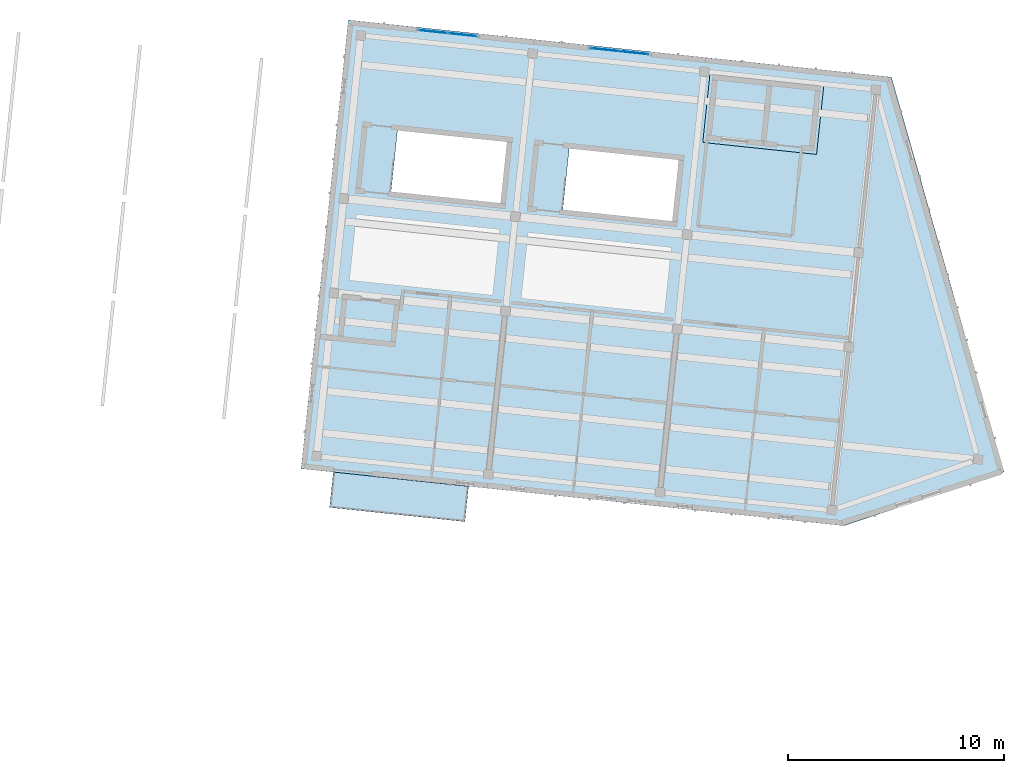
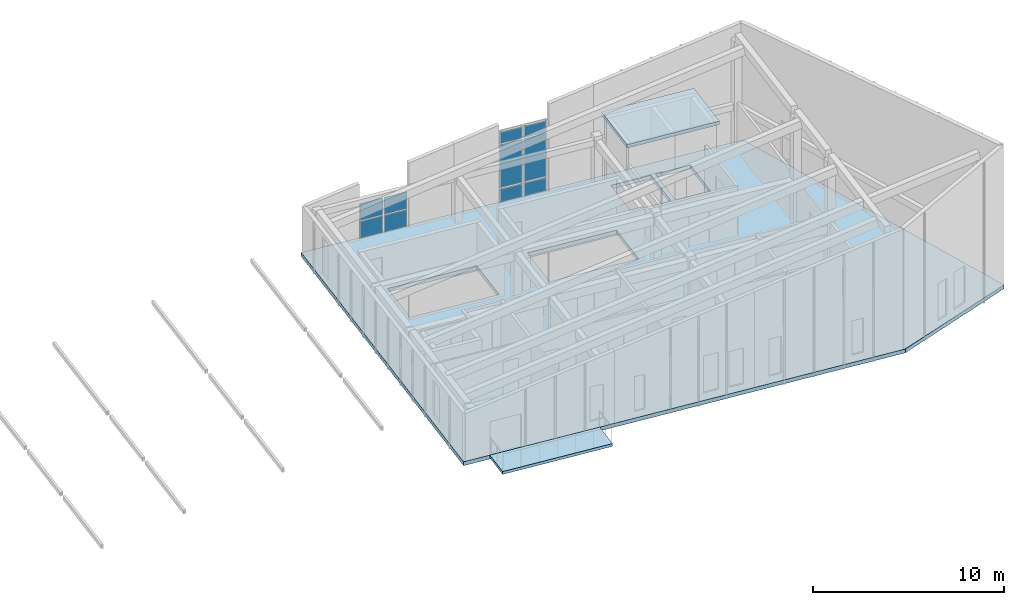
# One storey, part 11 of 31: 10 plates, 3 slabs, 2 elements without a shape of their own.
"""IFC4 building model written with IfcOpenShell, lengths in metres."""

from ifc_helpers import new_model, si_unit, direction, frame, origin, origin_2d, place, context, subcontext, project, spatial, polyline, rectangle, outline, extrude, material, layer, layer_set, type_object, element, aggregate, save


model = new_model("IFC4")

# Units and contexts
model_context = context("Model", 3, precision=1e-05, world=origin(), true_north=direction((0.0, 1.0)))
body_context = subcontext(model_context, "Body", "Model", "MODEL_VIEW")
ifc_project = project(units=[si_unit("LENGTHUNIT", "METRE"), si_unit("AREAUNIT", "SQUARE_METRE"), si_unit("VOLUMEUNIT", "CUBIC_METRE"), si_unit("PLANEANGLEUNIT", "RADIAN"), si_unit("MASSUNIT", "GRAM", prefix="KILO")], contexts=[model_context])

# Site, building, storey
site_placement = place(None, origin())
site = spatial("IfcSite", under=ifc_project, at=site_placement, CompositionType="ELEMENT")
building_placement = place(site_placement, origin())
building = spatial("IfcBuilding", under=site, at=building_placement, Name="Kestramere Prow Commons", CompositionType="ELEMENT")
storey_placement = place(building_placement, frame((0.0, 0.0, 37.64990234375)))
storey = spatial("IfcBuildingStorey", under=building, at=storey_placement, Name="L11", CompositionType="ELEMENT", Elevation=37.64990234375)

# Curtain wall, plates
ifc_material_1 = material(Name="Anodised Aluminium and Low-E Glass", Category="aluminium")
curtain_wall_type_1 = type_object("IfcCurtainWallType", Name="CW-03 Glazed Curtain Wall 2830x2320", PredefinedType="USERDEFINED", material=ifc_material_1)
curtain_wall_1_placement = place(storey_placement, origin())
curtain_wall_1 = element("IfcCurtainWall", 1, at=curtain_wall_1_placement, inside=storey, type_object=curtain_wall_type_1, Name="Block B L11 Stairwell Vertical Glazing 4", ObjectType="GLAZED CURTAIN WALL", PredefinedType="USERDEFINED")
ifc_material_2 = material(Name="Low-E Laminated Double Glazing", Category="glass")
ifc_layer_1 = layer(ifc_material_2, 0.028076171875)
ifc_layer_set_1 = layer_set([ifc_layer_1], Name="Low-E Laminated Double Glazing")
plate_type = type_object("IfcPlateType", Name="CW-PNL-28", PredefinedType="CURTAIN_PANEL", material=ifc_layer_set_1)
plate_1_placement = place(storey_placement, frame((139.2626953125, 111.960205078125, 0.065185546875), z_axis=(0.0, 0.0, 1.0), x_axis=(0.994521879016, -0.104528618845, 0.0)))
plate_1 = element("IfcPlate", 2, at=plate_1_placement, type_object=plate_type, Name="CW-03 panel 1.1", PredefinedType="CURTAIN_PANEL", context=body_context, shape_type="SweptSolid", body=[
    extrude(rectangle(XDim=1.3173828125, YDim=0.028076171875, at=origin_2d()), origin(), (0.0, 0.0, 1.0), 1.0625),
])
plate_2_placement = place(storey_placement, frame((139.2626953125, 111.960205078125, 1.192626953125), z_axis=(0.0, 0.0, 1.0), x_axis=(0.994521879016, -0.104528618845, 0.0)))
plate_2 = element("IfcPlate", 3, at=plate_2_placement, type_object=plate_type, Name="CW-03 panel 1.2", PredefinedType="CURTAIN_PANEL", context=body_context, shape_type="SweptSolid", body=[
    extrude(rectangle(XDim=1.3173828125, YDim=0.028076171875, at=origin_2d()), origin(), (0.0, 0.0, 1.0), 1.0625),
])
plate_3_placement = place(storey_placement, frame((140.6376953125, 111.815673828125, 0.065185546875), z_axis=(0.0, 0.0, 1.0), x_axis=(0.994521879016, -0.104528618845, 0.0)))
plate_3 = element("IfcPlate", 4, at=plate_3_placement, type_object=plate_type, Name="CW-03 panel 2.1", PredefinedType="CURTAIN_PANEL", context=body_context, shape_type="SweptSolid", body=[
    extrude(rectangle(XDim=1.3173828125, YDim=0.028076171875, at=origin_2d()), origin(), (0.0, 0.0, 1.0), 1.0625),
])
plate_4_placement = place(storey_placement, frame((140.6376953125, 111.815673828125, 1.192626953125), z_axis=(0.0, 0.0, 1.0), x_axis=(0.994521879016, -0.104528618845, 0.0)))
plate_4 = element("IfcPlate", 5, at=plate_4_placement, type_object=plate_type, Name="CW-03 panel 2.2", PredefinedType="CURTAIN_PANEL", context=body_context, shape_type="SweptSolid", body=[
    extrude(rectangle(XDim=1.3173828125, YDim=0.028076171875, at=origin_2d()), origin(), (0.0, 0.0, 1.0), 1.0625),
])
aggregate(curtain_wall_1, [plate_1, plate_2, plate_3, plate_4])

curtain_wall_type_2 = type_object("IfcCurtainWallType", Name="CW-06 Glazed Curtain Wall 2830x4620", PredefinedType="USERDEFINED", material=ifc_material_1)
curtain_wall_2_placement = place(storey_placement, origin())
curtain_wall_2 = element("IfcCurtainWall", 6, at=curtain_wall_2_placement, inside=storey, type_object=curtain_wall_type_2, Name="Block B L11 Stairwell Vertical Glazing 5", ObjectType="GLAZED CURTAIN WALL", PredefinedType="USERDEFINED")
plate_5_placement = place(storey_placement, frame((147.221435546875, 111.123779296875, 0.0751953125), z_axis=(0.0, 0.0, 1.0), x_axis=(0.99452191575, -0.104528269348, 0.0)))
plate_5 = element("IfcPlate", 7, at=plate_5_placement, type_object=plate_type, Name="CW-06 panel 1.1", PredefinedType="CURTAIN_PANEL", context=body_context, shape_type="SweptSolid", body=[
    extrude(rectangle(XDim=1.302490234375, YDim=0.028076171875, at=origin_2d()), origin(), (0.0, 0.0, 1.0), 0.83740234375),
])
plate_6_placement = place(storey_placement, frame((147.221435546875, 111.123779296875, 0.98779296875), z_axis=(0.0, 0.0, 1.0), x_axis=(0.99452191575, -0.104528269348, 0.0)))
plate_6 = element("IfcPlate", 8, at=plate_6_placement, type_object=plate_type, Name="CW-06 panel 1.2", PredefinedType="CURTAIN_PANEL", context=body_context, shape_type="SweptSolid", body=[
    extrude(rectangle(XDim=1.302490234375, YDim=0.028076171875, at=origin_2d()), origin(), (0.0, 0.0, 1.0), 2.743896484375),
])
plate_7_placement = place(storey_placement, frame((147.221435546875, 111.123779296875, 3.806640625), z_axis=(0.0, 0.0, 1.0), x_axis=(0.99452191575, -0.104528269348, 0.0)))
plate_7 = element("IfcPlate", 9, at=plate_7_placement, type_object=plate_type, Name="CW-06 panel 1.3", PredefinedType="CURTAIN_PANEL", context=body_context, shape_type="SweptSolid", body=[
    extrude(rectangle(XDim=1.302490234375, YDim=0.028076171875, at=origin_2d()), origin(), (0.0, 0.0, 1.0), 0.73779296875),
])
plate_8_placement = place(storey_placement, frame((148.59130859375, 110.979736328125, 0.0751953125), z_axis=(0.0, 0.0, 1.0), x_axis=(0.99452191575, -0.104528269348, 0.0)))
plate_8 = element("IfcPlate", 10, at=plate_8_placement, type_object=plate_type, Name="CW-06 panel 2.1", PredefinedType="CURTAIN_PANEL", context=body_context, shape_type="SweptSolid", body=[
    extrude(rectangle(XDim=1.302490234375, YDim=0.028076171875, at=origin_2d()), origin(), (0.0, 0.0, 1.0), 0.83740234375),
])
plate_9_placement = place(storey_placement, frame((148.59130859375, 110.979736328125, 0.98779296875), z_axis=(0.0, 0.0, 1.0), x_axis=(0.99452191575, -0.104528269348, 0.0)))
plate_9 = element("IfcPlate", 11, at=plate_9_placement, type_object=plate_type, Name="CW-06 panel 2.2", PredefinedType="CURTAIN_PANEL", context=body_context, shape_type="SweptSolid", body=[
    extrude(rectangle(XDim=1.302490234375, YDim=0.028076171875, at=origin_2d()), origin(), (0.0, 0.0, 1.0), 2.743896484375),
])
plate_10_placement = place(storey_placement, frame((148.59130859375, 110.979736328125, 3.806640625), z_axis=(0.0, 0.0, 1.0), x_axis=(0.99452191575, -0.104528269348, 0.0)))
plate_10 = element("IfcPlate", 12, at=plate_10_placement, type_object=plate_type, Name="CW-06 panel 2.3", PredefinedType="CURTAIN_PANEL", context=body_context, shape_type="SweptSolid", body=[
    extrude(rectangle(XDim=1.302490234375, YDim=0.028076171875, at=origin_2d()), origin(), (0.0, 0.0, 1.0), 0.73779296875),
])
aggregate(curtain_wall_2, [plate_5, plate_6, plate_7, plate_8, plate_9, plate_10])

# Slabs
ifc_material_3 = material(Name="Precast concrete C40/50", Category="concrete")
ifc_layer_2 = layer(ifc_material_3, 0.179931640625)
ifc_layer_set_2 = layer_set([ifc_layer_2], Name="Precast concrete C40/50")
slab_type_1 = type_object("IfcSlabType", Name="SL-BALC-180", PredefinedType="FLOOR", material=ifc_layer_set_2)
slab_1_placement = place(storey_placement, frame((0.0, 0.0, -0.179931640625)))
element("IfcSlab", 13, at=slab_1_placement, inside=storey, type_object=slab_type_1, Name="Block B L11 Apartment Balcony Slab 4", PredefinedType="FLOOR", context=body_context, shape_type="SweptSolid", body=[
    extrude(outline(polyline([(134.473388671875, 89.9150390625), (140.739013671875, 89.256591796875), (140.911376953125, 90.8974609375), (134.64599609375, 91.555908203125), (134.473388671875, 89.9150390625)])), origin(), (0.0, 0.0, 1.0), 0.179931640625),
])
ifc_layer_3 = layer(ifc_material_3, 0.25)
ifc_layer_set_3 = layer_set([ifc_layer_3], Name="Precast concrete C40/50")
slab_type_2 = type_object("IfcSlabType", Name="SL-HC-250", PredefinedType="FLOOR", material=ifc_layer_set_3)
slab_2_placement = place(storey_placement, frame((0.0, 0.0, 4.35009765625)))
element("IfcSlab", 14, at=slab_2_placement, inside=storey, type_object=slab_type_2, Name="Block B Internal Lift Shaft Cap Slab", PredefinedType="FLOOR", context=body_context, shape_type="SweptSolid", body=[
    extrude(outline(polyline([(151.7607421875, 106.82568359375), (157.03173828125, 106.271728515625), (157.376708984375, 109.5537109375), (152.105712890625, 110.107666015625), (151.7607421875, 106.82568359375)])), origin(), (0.0, 0.0, 1.0), 0.219970703125),
])
slab_3_placement = place(storey_placement, frame((0.0, 0.0, -0.25)))
element("IfcSlab", 15, at=slab_3_placement, inside=storey, type_object=slab_type_2, Name="Block B L11 Hollowcore Floor Slab", PredefinedType="FLOOR", context=body_context, shape_type="SweptSolid", body=[
    extrude(outline(polyline([(133.154052734375, 91.712890625), (158.3154296875, 89.068359375), (165.71630859375, 91.558349609375), (160.500244140625, 109.853759765625), (135.3388671875, 112.498291015625), (133.154052734375, 91.712890625)]), holes=[polyline([(152.1728515625, 107.159423828125), (154.46044921875, 106.9189453125), (154.726806640625, 109.455078125), (152.439453125, 109.695556640625), (152.1728515625, 107.159423828125)]), polyline([(154.708984375, 106.892822265625), (156.697998046875, 106.683837890625), (156.964599609375, 109.219970703125), (154.9755859375, 109.428955078125), (154.708984375, 106.892822265625)]), polyline([(137.318603515625, 104.5478515625), (142.390625, 104.0146484375), (142.6884765625, 106.84912109375), (137.616455078125, 107.38232421875), (137.318603515625, 104.5478515625)]), polyline([(145.274658203125, 103.711669921875), (150.346923828125, 103.178466796875), (150.644775390625, 106.012939453125), (145.57275390625, 106.5458984375), (145.274658203125, 103.711669921875)])]), origin(), (0.0, 0.0, 1.0), 0.25),
])

save(model, "model.ifc")
